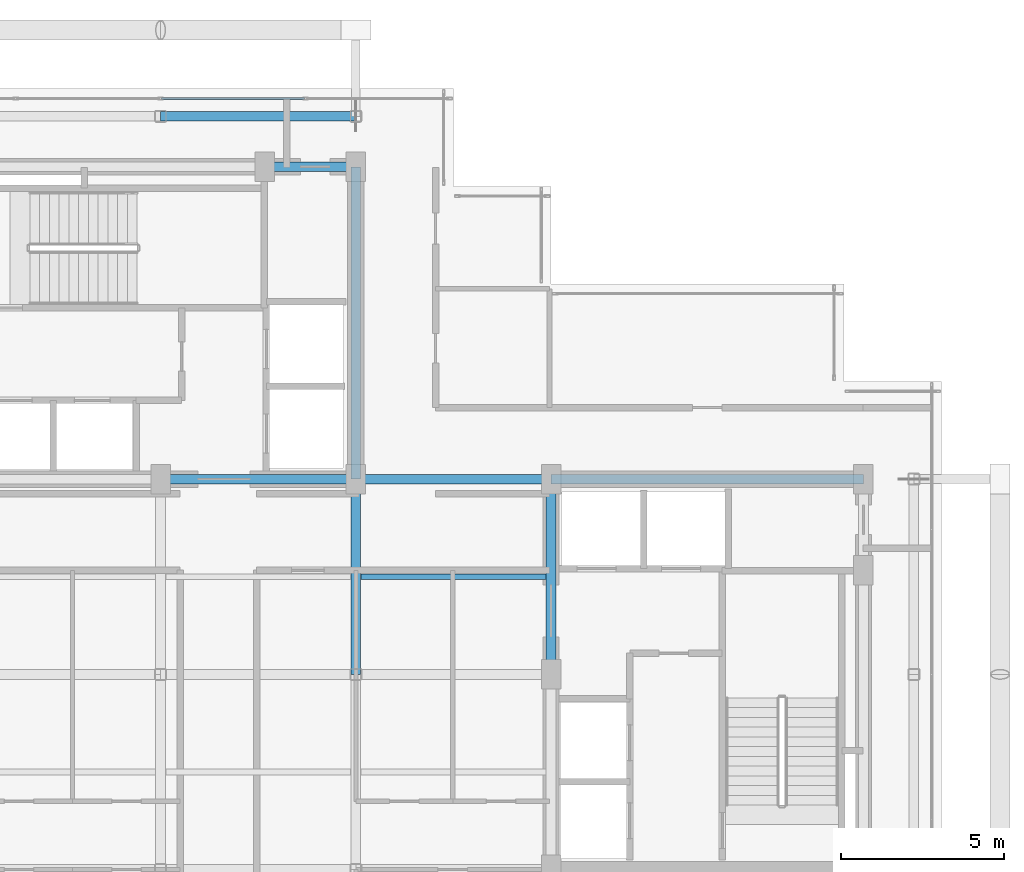
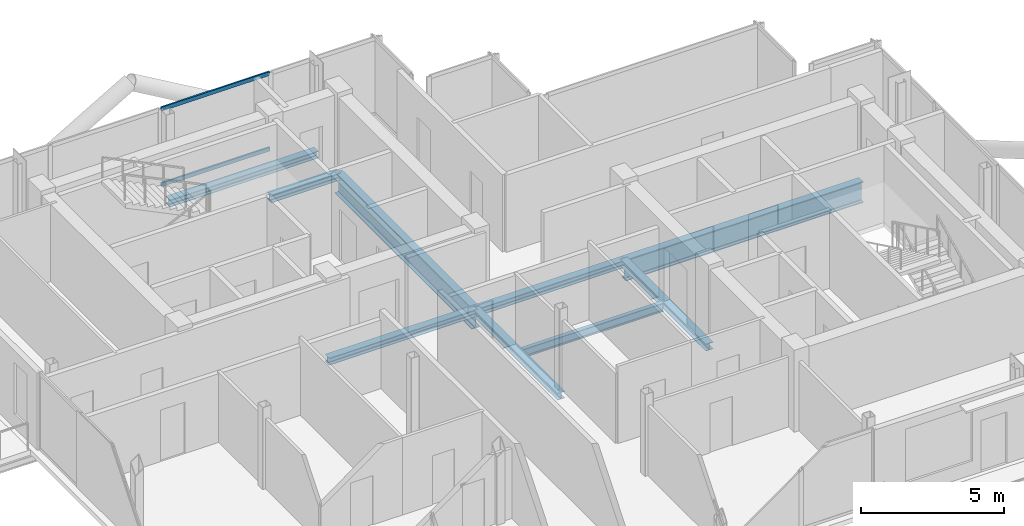
# One storey, part 10 of 19: 9 beams, 2 members, 1 element without a shape of its own.
"""IFC4 building model written with IfcOpenShell, lengths in metres."""

from ifc_helpers import new_model, si_unit, direction, frame, origin, origin_2d, place, context, subcontext, project, spatial, hollow_rectangle, i_section, extrude, material, layer, layer_set, material_profile, profile_set, type_object, element, aggregate, save


model = new_model("IFC4")

# Units and contexts
model_context = context("Model", 3, precision=1e-05, world=origin(), true_north=direction((0.0, 1.0)))
body_context = subcontext(model_context, "Body", "Model", "MODEL_VIEW")
ifc_project = project(units=[si_unit("LENGTHUNIT", "METRE"), si_unit("AREAUNIT", "SQUARE_METRE"), si_unit("VOLUMEUNIT", "CUBIC_METRE"), si_unit("PLANEANGLEUNIT", "RADIAN"), si_unit("MASSUNIT", "GRAM", prefix="KILO"), si_unit("THERMODYNAMICTEMPERATUREUNIT", "KELVIN"), si_unit("POWERUNIT", "WATT")], contexts=[model_context])

# Site, building, storey
site_placement = place(None, origin())
site = spatial("IfcSite", under=ifc_project, at=site_placement, CompositionType="ELEMENT")
building_placement = place(site_placement, origin())
building = spatial("IfcBuilding", under=site, at=building_placement, Name="Svarakhadi Broadcast Tower", CompositionType="ELEMENT")
storey_placement = place(building_placement, frame((0.0, 0.0, 257.199951171875)))
storey = spatial("IfcBuildingStorey", under=building, at=storey_placement, Name="L64", CompositionType="ELEMENT", Elevation=257.199951171875)

# Beam
ifc_material_1 = material(Name="Steel S355J2 (IS 2062 E350C)", Category="steel")
ifc_material_profile_1 = material_profile(ifc_material_1, i_section(OverallWidth=0.169921875, OverallDepth=0.360107421875, WebThickness=0.008056640625, FlangeThickness=0.0126953125, FilletRadius=0.01806640625, at=origin_2d()), Name="NPB 360x170x57")
ifc_profile_set_1 = profile_set([ifc_material_profile_1], Name="Steel S355J2 (IS 2062 E350C)")
beam_type_1 = type_object("IfcBeamType", Name="Beam_NPB360", PredefinedType="BEAM", material=ifc_profile_set_1)
beam_1_placement = place(storey_placement, frame((18.159912109375, 15.0, -0.3798828125), z_axis=(1.0, 0.0, 0.0), x_axis=(0.0, 1.0, 0.0)))
element("IfcBeam", 1, at=beam_1_placement, inside=storey, type_object=beam_type_1, Name="L64 Secondary Composite Beam SB012", PredefinedType="BEAM", context=body_context, shape_type="SweptSolid", body=[
    extrude(i_section(OverallWidth=0.169921875, OverallDepth=0.360107421875, WebThickness=0.008056640625, FlangeThickness=0.0126953125, FilletRadius=0.01806640625, at=origin_2d()), origin(), (0.0, 0.0, 1.0), 5.68017578125),
])

# Curtain wall, members
ifc_material_2 = material(Name="Anodised Bronze Aluminium AA 6063-T6", Category="aluminium")
ifc_layer = layer(ifc_material_2, 0.179931640625)
ifc_layer_set = layer_set([ifc_layer], Name="Anodised Bronze Aluminium AA 6063-T6")
curtain_wall_type = type_object("IfcCurtainWallType", Name="CW_Sys_05", PredefinedType="NOTDEFINED", material=ifc_layer_set)
curtain_wall_placement = place(storey_placement, origin())
curtain_wall = element("IfcCurtainWall", 2, at=curtain_wall_placement, inside=storey, type_object=curtain_wall_type, Name="L64 Unitised Facade Curtain Wall 05", PredefinedType="NOTDEFINED")
ifc_material_profile_2 = material_profile(ifc_material_2, hollow_rectangle(XDim=0.06494140625, YDim=0.1650390625, WallThickness=0.0048828125, at=origin_2d()), Name="ALU TRANSOM 165x65x5")
ifc_profile_set_2 = profile_set([ifc_material_profile_2], Name="Anodised Bronze Aluminium AA 6063-T6")
member_type = type_object("IfcMemberType", Name="CW_Sys_05_Trn", PredefinedType="USERDEFINED", material=ifc_profile_set_2)
member_1_placement = place(storey_placement, frame((12.034912109375, 29.699951171875, 0.032470703125), z_axis=(1.0, 0.0, 0.0), x_axis=(0.0, 1.0, 0.0)))
member_1 = element("IfcMember", 3, at=member_1_placement, type_object=member_type, Name="CW-05 transom 3.1", ObjectType="TRANSOM", PredefinedType="USERDEFINED", context=body_context, shape_type="SweptSolid", body=[
    extrude(hollow_rectangle(XDim=0.06494140625, YDim=0.1650390625, WallThickness=0.0048828125, at=origin_2d()), origin(), (0.0, 0.0, 1.0), 4.385009765625),
])
member_2_placement = place(storey_placement, frame((12.034912109375, 29.699951171875, 3.267578125), z_axis=(1.0, 0.0, 0.0), x_axis=(0.0, 1.0, 0.0)))
member_2 = element("IfcMember", 4, at=member_2_placement, type_object=member_type, Name="CW-05 transom 3.2", ObjectType="TRANSOM", PredefinedType="USERDEFINED", context=body_context, shape_type="SweptSolid", body=[
    extrude(hollow_rectangle(XDim=0.06494140625, YDim=0.1650390625, WallThickness=0.0048828125, at=origin_2d()), origin(), (0.0, 0.0, 1.0), 4.385009765625),
])
aggregate(curtain_wall, [member_1, member_2])

# Beams
ifc_material_profile_3 = material_profile(ifc_material_1, i_section(OverallWidth=0.300048828125, OverallDepth=0.300048828125, WebThickness=0.010986328125, FlangeThickness=0.01904296875, FilletRadius=0.027099609375, at=origin_2d()), Name="WPB 300x300x117")
ifc_profile_set_3 = profile_set([ifc_material_profile_3], Name="Steel S355J2 (IS 2062 E350C)")
beam_type_2 = type_object("IfcBeamType", Name="Girder_WPB300", PredefinedType="USERDEFINED", material=ifc_profile_set_3)
for number, where, z_axis, x_axis, name in (
    (5, (12.0, 18.0, -0.349853515625), (1.0, 0.0, 0.0), (0.0, 1.0, 0.0), "L64 Primary E-W Girder G019"),
    (6, (18.0, 18.0, -0.349853515625), (1.0, 0.0, 0.0), (0.0, 1.0, 0.0), "L64 Primary E-W Girder G020"),
):
    element("IfcBeam", number, at=place(storey_placement, frame(where, z_axis=z_axis, x_axis=x_axis)), inside=storey, type_object=beam_type_2, Name=name, ObjectType="GIRDER", PredefinedType="USERDEFINED", context=body_context, shape_type="SweptSolid", body=[
        extrude(i_section(OverallWidth=0.300048828125, OverallDepth=0.300048828125, WebThickness=0.010986328125, FlangeThickness=0.01904296875, FilletRadius=0.027099609375, at=origin_2d()), origin(), (0.0, 0.0, 1.0), 6.0),
    ])
beam_2_placement = place(storey_placement, frame((15.199951171875, 27.60009765625, -0.349853515625), z_axis=(1.0, 0.0, 0.0), x_axis=(0.0, 1.0, 0.0)))
element("IfcBeam", 7, at=beam_2_placement, inside=storey, type_object=beam_type_2, Name="L64 Primary E-W Girder G023", ObjectType="GIRDER", PredefinedType="USERDEFINED", context=body_context, shape_type="SweptSolid", body=[
    extrude(i_section(OverallWidth=0.300048828125, OverallDepth=0.300048828125, WebThickness=0.010986328125, FlangeThickness=0.01904296875, FilletRadius=0.027099609375, at=origin_2d()), origin(), (0.0, 0.0, 1.0), 2.800048828125),
])
for number, where, z_axis, x_axis, name in (
    (8, (12.0, 29.14990234375, -0.349853515625), (1.0, 0.0, 0.0), (0.0, 1.0, 0.0), "L64 Primary E-W Girder G025"),
    (9, (18.0, 12.0, -0.349853515625), (0.0, 1.0, 0.0), (-1.0, 0.0, 0.0), "L64 Primary N-S Girder G038"),
    (10, (24.0, 12.0, -0.349853515625), (0.0, 1.0, 0.0), (-1.0, 0.0, 0.0), "L64 Primary N-S Girder G042"),
):
    element("IfcBeam", number, at=place(storey_placement, frame(where, z_axis=z_axis, x_axis=x_axis)), inside=storey, type_object=beam_type_2, Name=name, ObjectType="GIRDER", PredefinedType="USERDEFINED", context=body_context, shape_type="SweptSolid", body=[
        extrude(i_section(OverallWidth=0.300048828125, OverallDepth=0.300048828125, WebThickness=0.010986328125, FlangeThickness=0.01904296875, FilletRadius=0.027099609375, at=origin_2d()), origin(), (0.0, 0.0, 1.0), 6.0),
    ])
ifc_material_3 = material(Name="Steel S460ML (IS 2062 E450BR)", Category="steel")
ifc_material_profile_4 = material_profile(ifc_material_3, i_section(OverallWidth=0.300048828125, OverallDepth=0.89990234375, WebThickness=0.0185546875, FlangeThickness=0.034912109375, FilletRadius=0.030029296875, at=origin_2d()), Name="WPB 900x300x291")
ifc_profile_set_4 = profile_set([ifc_material_profile_4], Name="Steel S460ML (IS 2062 E450BR)")
beam_type_3 = type_object("IfcBeamType", Name="Girder_WPB900", PredefinedType="USERDEFINED", material=ifc_profile_set_4)
for number, where, z_axis, x_axis, name in (
    (11, (24.0, 18.0, -0.64990234375), (1.0, 0.0, 0.0), (0.0, 1.0, 0.0), "L64 Primary E-W Girder G021"),
    (12, (18.0, 18.0, -0.64990234375), (0.0, 1.0, 0.0), (-1.0, 0.0, 0.0), "L64 Primary N-S Girder G039"),
):
    element("IfcBeam", number, at=place(storey_placement, frame(where, z_axis=z_axis, x_axis=x_axis)), inside=storey, type_object=beam_type_3, Name=name, ObjectType="GIRDER", PredefinedType="USERDEFINED", context=body_context, shape_type="SweptSolid", body=[
        extrude(i_section(OverallWidth=0.300048828125, OverallDepth=0.89990234375, WebThickness=0.0185546875, FlangeThickness=0.034912109375, FilletRadius=0.030029296875, at=origin_2d()), origin(), (0.0, 0.0, 1.0), 9.60009765625),
    ])

save(model, "model.ifc")
